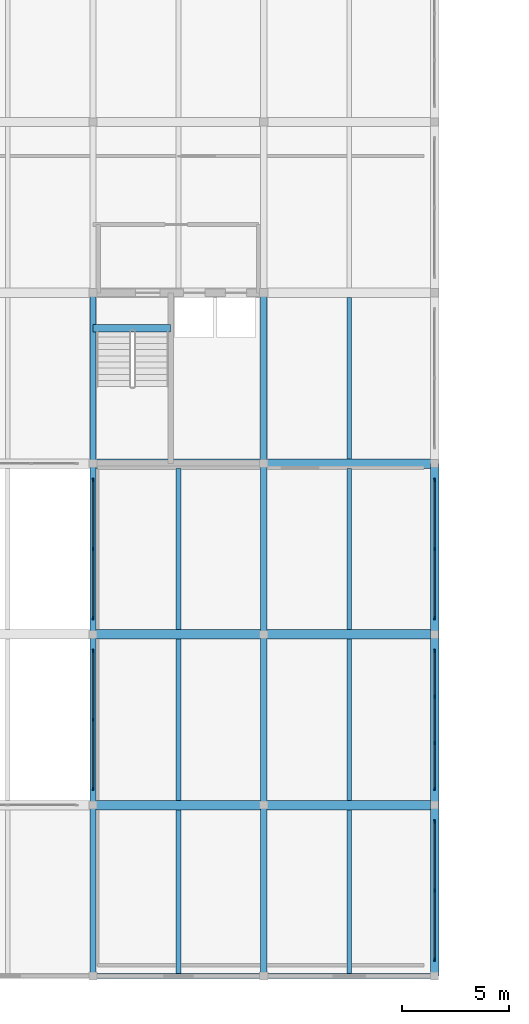
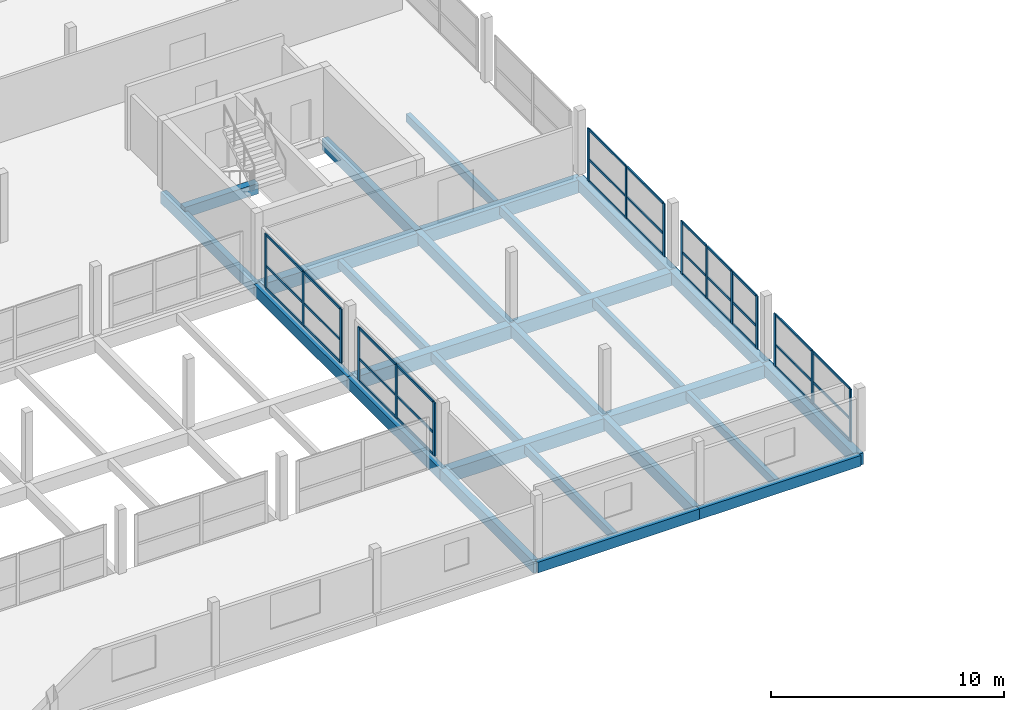
# One storey, part 12 of 34: 49 members, 27 beams, 5 elements without a shape of their own.
"""IFC4 building model written with IfcOpenShell, lengths in metres."""

from ifc_helpers import new_model, si_unit, direction, frame, origin, origin_2d, place, context, subcontext, project, spatial, rectangle, extrude, material, material_profile, profile_set, type_object, element, aggregate, save


model = new_model("IFC4")

# Units and contexts
model_context = context("Model", 3, precision=1e-05, world=origin(), true_north=direction((0.0, 1.0)))
body_context = subcontext(model_context, "Body", "Model", "MODEL_VIEW")
ifc_project = project(units=[si_unit("LENGTHUNIT", "METRE"), si_unit("AREAUNIT", "SQUARE_METRE"), si_unit("VOLUMEUNIT", "CUBIC_METRE"), si_unit("PLANEANGLEUNIT", "RADIAN"), si_unit("MASSUNIT", "GRAM", prefix="KILO")], contexts=[model_context])

# Site, building, storey
site_placement = place(None, origin())
site = spatial("IfcSite", under=ifc_project, at=site_placement, CompositionType="ELEMENT")
building_placement = place(site_placement, origin())
building = spatial("IfcBuilding", under=site, at=building_placement, Name="Vharandega Faculty of Natural Sciences", CompositionType="ELEMENT")
storey_placement = place(building_placement, frame((0.0, 0.0, 21.60009765625)))
storey = spatial("IfcBuildingStorey", under=building, at=storey_placement, Name="L05", CompositionType="ELEMENT", Elevation=21.60009765625)

# Curtain wall, members
ifc_material_1 = material(Name="Aluminium and solar-control glass curtain wall", Category="aluminium")
curtain_wall_type_1 = type_object("IfcCurtainWallType", Name="Unitised Curtain Wall System CW-28", PredefinedType="NOTDEFINED", material=ifc_material_1)
curtain_wall_1_placement = place(storey_placement, origin())
curtain_wall_1 = element("IfcCurtainWall", 1, at=curtain_wall_1_placement, inside=storey, type_object=curtain_wall_type_1, Name="Curtain Wall CW-L05-195", PredefinedType="NOTDEFINED")
ifc_material_2 = material(Name="Thermally broken aluminium 6063-T6", Category="aluminium")
ifc_material_profile_1 = material_profile(ifc_material_2, rectangle(XDim=0.06005859375, YDim=0.159912109375, at=origin_2d()), Name="ALU 60x160")
ifc_profile_set_1 = profile_set([ifc_material_profile_1], Name="Thermally broken aluminium 6063-T6")
member_type_1 = type_object("IfcMemberType", Name="CW Mullion 60x160", PredefinedType="MULLION", material=ifc_profile_set_1)
member_1_placement = place(storey_placement, frame((48.0, 16.77001953125, 0.0), z_axis=(0.0, 0.0, 1.0), x_axis=(-1.0, 0.0, 0.0)))
member_1 = element("IfcMember", 2, at=member_1_placement, type_object=member_type_1, Name="CW-28 mullion 1", PredefinedType="MULLION", context=body_context, shape_type="SweptSolid", body=[
    extrude(rectangle(XDim=0.06005859375, YDim=0.159912109375, at=origin_2d()), origin(), (0.0, 0.0, 1.0), 2.760009765625),
])
member_2_placement = place(storey_placement, frame((48.0, 20.0, 0.0), z_axis=(0.0, 0.0, 1.0), x_axis=(-1.0, 0.0, 0.0)))
member_2 = element("IfcMember", 3, at=member_2_placement, type_object=member_type_1, Name="CW-28 mullion 2", PredefinedType="MULLION", context=body_context, shape_type="SweptSolid", body=[
    extrude(rectangle(XDim=0.06005859375, YDim=0.159912109375, at=origin_2d()), origin(), (0.0, 0.0, 1.0), 2.760009765625),
])
member_3_placement = place(storey_placement, frame((48.0, 23.22998046875, 0.0), z_axis=(0.0, 0.0, 1.0), x_axis=(-1.0, 0.0, 0.0)))
member_3 = element("IfcMember", 4, at=member_3_placement, type_object=member_type_1, Name="CW-28 mullion 3", PredefinedType="MULLION", context=body_context, shape_type="SweptSolid", body=[
    extrude(rectangle(XDim=0.06005859375, YDim=0.159912109375, at=origin_2d()), origin(), (0.0, 0.0, 1.0), 2.760009765625),
])

ifc_material_3 = material(Name="Aluminium and solar-control glass curtain wall", Category="aluminium")
curtain_wall_type_2 = type_object("IfcCurtainWallType", Name="Unitised Curtain Wall System CW-01", PredefinedType="NOTDEFINED", material=ifc_material_3)
curtain_wall_2_placement = place(storey_placement, origin())
curtain_wall_2 = element("IfcCurtainWall", 5, at=curtain_wall_2_placement, inside=storey, type_object=curtain_wall_type_2, Name="Curtain Wall CW-L05-196", PredefinedType="NOTDEFINED")
member_4_placement = place(storey_placement, frame((48.0, 24.77001953125, 0.0), z_axis=(0.0, 0.0, 1.0), x_axis=(-1.0, 0.0, 0.0)))
member_4 = element("IfcMember", 6, at=member_4_placement, type_object=member_type_1, Name="CW-01 mullion 1", PredefinedType="MULLION", context=body_context, shape_type="SweptSolid", body=[
    extrude(rectangle(XDim=0.06005859375, YDim=0.159912109375, at=origin_2d()), origin(), (0.0, 0.0, 1.0), 2.760009765625),
])
member_5_placement = place(storey_placement, frame((48.0, 26.913330078125, 0.0), z_axis=(0.0, 0.0, 1.0), x_axis=(-1.0, 0.0, 0.0)))
member_5 = element("IfcMember", 7, at=member_5_placement, type_object=member_type_1, Name="CW-01 mullion 2", PredefinedType="MULLION", context=body_context, shape_type="SweptSolid", body=[
    extrude(rectangle(XDim=0.06005859375, YDim=0.159912109375, at=origin_2d()), origin(), (0.0, 0.0, 1.0), 2.760009765625),
])
member_6_placement = place(storey_placement, frame((48.0, 29.086669921875, 0.0), z_axis=(0.0, 0.0, 1.0), x_axis=(-1.0, 0.0, 0.0)))
member_6 = element("IfcMember", 8, at=member_6_placement, type_object=member_type_1, Name="CW-01 mullion 3", PredefinedType="MULLION", context=body_context, shape_type="SweptSolid", body=[
    extrude(rectangle(XDim=0.06005859375, YDim=0.159912109375, at=origin_2d()), origin(), (0.0, 0.0, 1.0), 2.760009765625),
])
member_7_placement = place(storey_placement, frame((48.0, 31.22998046875, 0.0), z_axis=(0.0, 0.0, 1.0), x_axis=(-1.0, 0.0, 0.0)))
member_7 = element("IfcMember", 9, at=member_7_placement, type_object=member_type_1, Name="CW-01 mullion 4", PredefinedType="MULLION", context=body_context, shape_type="SweptSolid", body=[
    extrude(rectangle(XDim=0.06005859375, YDim=0.159912109375, at=origin_2d()), origin(), (0.0, 0.0, 1.0), 2.760009765625),
])

ifc_material_4 = material(Name="Aluminium and solar-control glass curtain wall", Category="aluminium")
curtain_wall_type_3 = type_object("IfcCurtainWallType", Name="Unitised Curtain Wall System CW-02", PredefinedType="NOTDEFINED", material=ifc_material_4)
curtain_wall_3_placement = place(storey_placement, origin())
curtain_wall_3 = element("IfcCurtainWall", 10, at=curtain_wall_3_placement, inside=storey, type_object=curtain_wall_type_3, Name="Curtain Wall CW-L05-197", PredefinedType="NOTDEFINED")
member_8_placement = place(storey_placement, frame((48.0, 32.77001953125, 0.0), z_axis=(0.0, 0.0, 1.0), x_axis=(-1.0, 0.0, 0.0)))
member_8 = element("IfcMember", 11, at=member_8_placement, type_object=member_type_1, Name="CW-02 mullion 1", PredefinedType="MULLION", context=body_context, shape_type="SweptSolid", body=[
    extrude(rectangle(XDim=0.06005859375, YDim=0.159912109375, at=origin_2d()), origin(), (0.0, 0.0, 1.0), 2.760009765625),
])
member_9_placement = place(storey_placement, frame((48.0, 36.0, 0.0), z_axis=(0.0, 0.0, 1.0), x_axis=(-1.0, 0.0, 0.0)))
member_9 = element("IfcMember", 12, at=member_9_placement, type_object=member_type_1, Name="CW-02 mullion 2", PredefinedType="MULLION", context=body_context, shape_type="SweptSolid", body=[
    extrude(rectangle(XDim=0.06005859375, YDim=0.159912109375, at=origin_2d()), origin(), (0.0, 0.0, 1.0), 2.760009765625),
])
member_10_placement = place(storey_placement, frame((48.0, 39.22998046875, 0.0), z_axis=(0.0, 0.0, 1.0), x_axis=(-1.0, 0.0, 0.0)))
member_10 = element("IfcMember", 13, at=member_10_placement, type_object=member_type_1, Name="CW-02 mullion 3", PredefinedType="MULLION", context=body_context, shape_type="SweptSolid", body=[
    extrude(rectangle(XDim=0.06005859375, YDim=0.159912109375, at=origin_2d()), origin(), (0.0, 0.0, 1.0), 2.760009765625),
])

ifc_material_5 = material(Name="Aluminium and solar-control glass curtain wall", Category="aluminium")
curtain_wall_type_4 = type_object("IfcCurtainWallType", Name="Unitised Curtain Wall System CW-17", PredefinedType="NOTDEFINED", material=ifc_material_5)
curtain_wall_4_placement = place(storey_placement, origin())
curtain_wall_4 = element("IfcCurtainWall", 14, at=curtain_wall_4_placement, inside=storey, type_object=curtain_wall_type_4, Name="Curtain Wall CW-L05-212", PredefinedType="NOTDEFINED")
member_11_placement = place(storey_placement, frame((32.0, 24.77001953125, 0.0), z_axis=(0.0, 0.0, 1.0), x_axis=(-1.0, 0.0, 0.0)))
member_11 = element("IfcMember", 15, at=member_11_placement, type_object=member_type_1, Name="CW-17 mullion 1", PredefinedType="MULLION", context=body_context, shape_type="SweptSolid", body=[
    extrude(rectangle(XDim=0.06005859375, YDim=0.159912109375, at=origin_2d()), origin(), (0.0, 0.0, 1.0), 2.7998046875),
])
member_12_placement = place(storey_placement, frame((32.0, 28.0, 0.0), z_axis=(0.0, 0.0, 1.0), x_axis=(-1.0, 0.0, 0.0)))
member_12 = element("IfcMember", 16, at=member_12_placement, type_object=member_type_1, Name="CW-17 mullion 2", PredefinedType="MULLION", context=body_context, shape_type="SweptSolid", body=[
    extrude(rectangle(XDim=0.06005859375, YDim=0.159912109375, at=origin_2d()), origin(), (0.0, 0.0, 1.0), 2.7998046875),
])
member_13_placement = place(storey_placement, frame((32.0, 31.22998046875, 0.0), z_axis=(0.0, 0.0, 1.0), x_axis=(-1.0, 0.0, 0.0)))
member_13 = element("IfcMember", 17, at=member_13_placement, type_object=member_type_1, Name="CW-17 mullion 3", PredefinedType="MULLION", context=body_context, shape_type="SweptSolid", body=[
    extrude(rectangle(XDim=0.06005859375, YDim=0.159912109375, at=origin_2d()), origin(), (0.0, 0.0, 1.0), 2.7998046875),
])

ifc_material_6 = material(Name="Aluminium and solar-control glass curtain wall", Category="aluminium")
curtain_wall_type_5 = type_object("IfcCurtainWallType", Name="Unitised Curtain Wall System CW-19", PredefinedType="NOTDEFINED", material=ifc_material_6)
curtain_wall_5_placement = place(storey_placement, origin())
curtain_wall_5 = element("IfcCurtainWall", 18, at=curtain_wall_5_placement, inside=storey, type_object=curtain_wall_type_5, Name="Curtain Wall CW-L05-214", PredefinedType="NOTDEFINED")
member_14_placement = place(storey_placement, frame((32.0, 32.77001953125, 0.0), z_axis=(0.0, 0.0, 1.0), x_axis=(-1.0, 0.0, 0.0)))
member_14 = element("IfcMember", 19, at=member_14_placement, type_object=member_type_1, Name="CW-19 mullion 1", PredefinedType="MULLION", context=body_context, shape_type="SweptSolid", body=[
    extrude(rectangle(XDim=0.06005859375, YDim=0.159912109375, at=origin_2d()), origin(), (0.0, 0.0, 1.0), 2.83984375),
])
member_15_placement = place(storey_placement, frame((32.0, 36.0, 0.0), z_axis=(0.0, 0.0, 1.0), x_axis=(-1.0, 0.0, 0.0)))
member_15 = element("IfcMember", 20, at=member_15_placement, type_object=member_type_1, Name="CW-19 mullion 2", PredefinedType="MULLION", context=body_context, shape_type="SweptSolid", body=[
    extrude(rectangle(XDim=0.06005859375, YDim=0.159912109375, at=origin_2d()), origin(), (0.0, 0.0, 1.0), 2.83984375),
])
member_16_placement = place(storey_placement, frame((32.0, 39.22998046875, 0.0), z_axis=(0.0, 0.0, 1.0), x_axis=(-1.0, 0.0, 0.0)))
member_16 = element("IfcMember", 21, at=member_16_placement, type_object=member_type_1, Name="CW-19 mullion 3", PredefinedType="MULLION", context=body_context, shape_type="SweptSolid", body=[
    extrude(rectangle(XDim=0.06005859375, YDim=0.159912109375, at=origin_2d()), origin(), (0.0, 0.0, 1.0), 2.83984375),
])

# Member
ifc_material_7 = material(Name="Thermally broken aluminium 6063-T6", Category="aluminium")
ifc_material_profile_2 = material_profile(ifc_material_7, rectangle(XDim=0.06005859375, YDim=0.1201171875, at=origin_2d()), Name="ALU 60x120")
ifc_profile_set_2 = profile_set([ifc_material_profile_2], Name="Thermally broken aluminium 6063-T6")
member_type_2 = type_object("IfcMemberType", Name="CW Transom 60x120", PredefinedType="USERDEFINED", material=ifc_profile_set_2)
member_17_placement = place(storey_placement, frame((48.0, 16.800048828125, 0.02978515625), z_axis=(0.0, 1.0, 0.0), x_axis=(-1.0, 0.0, 0.0)))
member_17 = element("IfcMember", 22, at=member_17_placement, type_object=member_type_2, Name="CW-28 transom 1.1", ObjectType="TRANSOM", PredefinedType="USERDEFINED", context=body_context, shape_type="SweptSolid", body=[
    extrude(rectangle(XDim=0.06005859375, YDim=0.1201171875, at=origin_2d()), origin(), (0.0, 0.0, 1.0), 3.169921875),
])

member_18_placement = place(storey_placement, frame((48.0, 16.800048828125, 1.1591796875), z_axis=(0.0, 1.0, 0.0), x_axis=(-1.0, 0.0, 0.0)))
member_18 = element("IfcMember", 23, at=member_18_placement, type_object=member_type_2, Name="CW-28 transom 1.2", ObjectType="TRANSOM", PredefinedType="USERDEFINED", context=body_context, shape_type="SweptSolid", body=[
    extrude(rectangle(XDim=0.06005859375, YDim=0.1201171875, at=origin_2d()), origin(), (0.0, 0.0, 1.0), 3.169921875),
])

member_19_placement = place(storey_placement, frame((48.0, 16.800048828125, 2.72998046875), z_axis=(0.0, 1.0, 0.0), x_axis=(-1.0, 0.0, 0.0)))
member_19 = element("IfcMember", 24, at=member_19_placement, type_object=member_type_2, Name="CW-28 transom 1.3", ObjectType="TRANSOM", PredefinedType="USERDEFINED", context=body_context, shape_type="SweptSolid", body=[
    extrude(rectangle(XDim=0.06005859375, YDim=0.1201171875, at=origin_2d()), origin(), (0.0, 0.0, 1.0), 3.169921875),
])

member_20_placement = place(storey_placement, frame((48.0, 20.030029296875, 0.02978515625), z_axis=(0.0, 1.0, 0.0), x_axis=(-1.0, 0.0, 0.0)))
member_20 = element("IfcMember", 25, at=member_20_placement, type_object=member_type_2, Name="CW-28 transom 2.1", ObjectType="TRANSOM", PredefinedType="USERDEFINED", context=body_context, shape_type="SweptSolid", body=[
    extrude(rectangle(XDim=0.06005859375, YDim=0.1201171875, at=origin_2d()), origin(), (0.0, 0.0, 1.0), 3.169921875),
])

member_21_placement = place(storey_placement, frame((48.0, 20.030029296875, 1.1591796875), z_axis=(0.0, 1.0, 0.0), x_axis=(-1.0, 0.0, 0.0)))
member_21 = element("IfcMember", 26, at=member_21_placement, type_object=member_type_2, Name="CW-28 transom 2.2", ObjectType="TRANSOM", PredefinedType="USERDEFINED", context=body_context, shape_type="SweptSolid", body=[
    extrude(rectangle(XDim=0.06005859375, YDim=0.1201171875, at=origin_2d()), origin(), (0.0, 0.0, 1.0), 3.169921875),
])

member_22_placement = place(storey_placement, frame((48.0, 20.030029296875, 2.72998046875), z_axis=(0.0, 1.0, 0.0), x_axis=(-1.0, 0.0, 0.0)))
member_22 = element("IfcMember", 27, at=member_22_placement, type_object=member_type_2, Name="CW-28 transom 2.3", ObjectType="TRANSOM", PredefinedType="USERDEFINED", context=body_context, shape_type="SweptSolid", body=[
    extrude(rectangle(XDim=0.06005859375, YDim=0.1201171875, at=origin_2d()), origin(), (0.0, 0.0, 1.0), 3.169921875),
])

aggregate(curtain_wall_1, [member_1, member_2, member_3, member_17, member_18, member_19, member_20, member_21, member_22])

member_23_placement = place(storey_placement, frame((48.0, 24.800048828125, 0.02978515625), z_axis=(0.0, 1.0, 0.0), x_axis=(-1.0, 0.0, 0.0)))
member_23 = element("IfcMember", 28, at=member_23_placement, type_object=member_type_2, Name="CW-01 transom 1.1", ObjectType="TRANSOM", PredefinedType="USERDEFINED", context=body_context, shape_type="SweptSolid", body=[
    extrude(rectangle(XDim=0.06005859375, YDim=0.1201171875, at=origin_2d()), origin(), (0.0, 0.0, 1.0), 2.083251953125),
])

member_24_placement = place(storey_placement, frame((48.0, 24.800048828125, 1.1591796875), z_axis=(0.0, 1.0, 0.0), x_axis=(-1.0, 0.0, 0.0)))
member_24 = element("IfcMember", 29, at=member_24_placement, type_object=member_type_2, Name="CW-01 transom 1.2", ObjectType="TRANSOM", PredefinedType="USERDEFINED", context=body_context, shape_type="SweptSolid", body=[
    extrude(rectangle(XDim=0.06005859375, YDim=0.1201171875, at=origin_2d()), origin(), (0.0, 0.0, 1.0), 2.083251953125),
])

member_25_placement = place(storey_placement, frame((48.0, 24.800048828125, 2.72998046875), z_axis=(0.0, 1.0, 0.0), x_axis=(-1.0, 0.0, 0.0)))
member_25 = element("IfcMember", 30, at=member_25_placement, type_object=member_type_2, Name="CW-01 transom 1.3", ObjectType="TRANSOM", PredefinedType="USERDEFINED", context=body_context, shape_type="SweptSolid", body=[
    extrude(rectangle(XDim=0.06005859375, YDim=0.1201171875, at=origin_2d()), origin(), (0.0, 0.0, 1.0), 2.083251953125),
])

member_26_placement = place(storey_placement, frame((48.0, 26.943359375, 0.02978515625), z_axis=(0.0, 1.0, 0.0), x_axis=(-1.0, 0.0, 0.0)))
member_26 = element("IfcMember", 31, at=member_26_placement, type_object=member_type_2, Name="CW-01 transom 2.1", ObjectType="TRANSOM", PredefinedType="USERDEFINED", context=body_context, shape_type="SweptSolid", body=[
    extrude(rectangle(XDim=0.06005859375, YDim=0.1201171875, at=origin_2d()), origin(), (0.0, 0.0, 1.0), 2.11328125),
])

member_27_placement = place(storey_placement, frame((48.0, 26.943359375, 1.1591796875), z_axis=(0.0, 1.0, 0.0), x_axis=(-1.0, 0.0, 0.0)))
member_27 = element("IfcMember", 32, at=member_27_placement, type_object=member_type_2, Name="CW-01 transom 2.2", ObjectType="TRANSOM", PredefinedType="USERDEFINED", context=body_context, shape_type="SweptSolid", body=[
    extrude(rectangle(XDim=0.06005859375, YDim=0.1201171875, at=origin_2d()), origin(), (0.0, 0.0, 1.0), 2.11328125),
])

member_28_placement = place(storey_placement, frame((48.0, 26.943359375, 2.72998046875), z_axis=(0.0, 1.0, 0.0), x_axis=(-1.0, 0.0, 0.0)))
member_28 = element("IfcMember", 33, at=member_28_placement, type_object=member_type_2, Name="CW-01 transom 2.3", ObjectType="TRANSOM", PredefinedType="USERDEFINED", context=body_context, shape_type="SweptSolid", body=[
    extrude(rectangle(XDim=0.06005859375, YDim=0.1201171875, at=origin_2d()), origin(), (0.0, 0.0, 1.0), 2.11328125),
])

member_29_placement = place(storey_placement, frame((48.0, 29.11669921875, 0.02978515625), z_axis=(0.0, 1.0, 0.0), x_axis=(-1.0, 0.0, 0.0)))
member_29 = element("IfcMember", 34, at=member_29_placement, type_object=member_type_2, Name="CW-01 transom 3.1", ObjectType="TRANSOM", PredefinedType="USERDEFINED", context=body_context, shape_type="SweptSolid", body=[
    extrude(rectangle(XDim=0.06005859375, YDim=0.1201171875, at=origin_2d()), origin(), (0.0, 0.0, 1.0), 2.083251953125),
])

member_30_placement = place(storey_placement, frame((48.0, 29.11669921875, 1.1591796875), z_axis=(0.0, 1.0, 0.0), x_axis=(-1.0, 0.0, 0.0)))
member_30 = element("IfcMember", 35, at=member_30_placement, type_object=member_type_2, Name="CW-01 transom 3.2", ObjectType="TRANSOM", PredefinedType="USERDEFINED", context=body_context, shape_type="SweptSolid", body=[
    extrude(rectangle(XDim=0.06005859375, YDim=0.1201171875, at=origin_2d()), origin(), (0.0, 0.0, 1.0), 2.083251953125),
])

member_31_placement = place(storey_placement, frame((48.0, 29.11669921875, 2.72998046875), z_axis=(0.0, 1.0, 0.0), x_axis=(-1.0, 0.0, 0.0)))
member_31 = element("IfcMember", 36, at=member_31_placement, type_object=member_type_2, Name="CW-01 transom 3.3", ObjectType="TRANSOM", PredefinedType="USERDEFINED", context=body_context, shape_type="SweptSolid", body=[
    extrude(rectangle(XDim=0.06005859375, YDim=0.1201171875, at=origin_2d()), origin(), (0.0, 0.0, 1.0), 2.083251953125),
])

aggregate(curtain_wall_2, [member_4, member_5, member_6, member_7, member_23, member_24, member_25, member_26, member_27, member_28, member_29, member_30, member_31])

member_32_placement = place(storey_placement, frame((48.0, 32.800048828125, 0.02978515625), z_axis=(0.0, 1.0, 0.0), x_axis=(-1.0, 0.0, 0.0)))
member_32 = element("IfcMember", 37, at=member_32_placement, type_object=member_type_2, Name="CW-02 transom 1.1", ObjectType="TRANSOM", PredefinedType="USERDEFINED", context=body_context, shape_type="SweptSolid", body=[
    extrude(rectangle(XDim=0.06005859375, YDim=0.1201171875, at=origin_2d()), origin(), (0.0, 0.0, 1.0), 3.169921875),
])

member_33_placement = place(storey_placement, frame((48.0, 32.800048828125, 1.1591796875), z_axis=(0.0, 1.0, 0.0), x_axis=(-1.0, 0.0, 0.0)))
member_33 = element("IfcMember", 38, at=member_33_placement, type_object=member_type_2, Name="CW-02 transom 1.2", ObjectType="TRANSOM", PredefinedType="USERDEFINED", context=body_context, shape_type="SweptSolid", body=[
    extrude(rectangle(XDim=0.06005859375, YDim=0.1201171875, at=origin_2d()), origin(), (0.0, 0.0, 1.0), 3.169921875),
])

member_34_placement = place(storey_placement, frame((48.0, 32.800048828125, 2.72998046875), z_axis=(0.0, 1.0, 0.0), x_axis=(-1.0, 0.0, 0.0)))
member_34 = element("IfcMember", 39, at=member_34_placement, type_object=member_type_2, Name="CW-02 transom 1.3", ObjectType="TRANSOM", PredefinedType="USERDEFINED", context=body_context, shape_type="SweptSolid", body=[
    extrude(rectangle(XDim=0.06005859375, YDim=0.1201171875, at=origin_2d()), origin(), (0.0, 0.0, 1.0), 3.169921875),
])

member_35_placement = place(storey_placement, frame((48.0, 36.030029296875, 0.02978515625), z_axis=(0.0, 1.0, 0.0), x_axis=(-1.0, 0.0, 0.0)))
member_35 = element("IfcMember", 40, at=member_35_placement, type_object=member_type_2, Name="CW-02 transom 2.1", ObjectType="TRANSOM", PredefinedType="USERDEFINED", context=body_context, shape_type="SweptSolid", body=[
    extrude(rectangle(XDim=0.06005859375, YDim=0.1201171875, at=origin_2d()), origin(), (0.0, 0.0, 1.0), 3.169921875),
])

member_36_placement = place(storey_placement, frame((48.0, 36.030029296875, 1.1591796875), z_axis=(0.0, 1.0, 0.0), x_axis=(-1.0, 0.0, 0.0)))
member_36 = element("IfcMember", 41, at=member_36_placement, type_object=member_type_2, Name="CW-02 transom 2.2", ObjectType="TRANSOM", PredefinedType="USERDEFINED", context=body_context, shape_type="SweptSolid", body=[
    extrude(rectangle(XDim=0.06005859375, YDim=0.1201171875, at=origin_2d()), origin(), (0.0, 0.0, 1.0), 3.169921875),
])

member_37_placement = place(storey_placement, frame((48.0, 36.030029296875, 2.72998046875), z_axis=(0.0, 1.0, 0.0), x_axis=(-1.0, 0.0, 0.0)))
member_37 = element("IfcMember", 42, at=member_37_placement, type_object=member_type_2, Name="CW-02 transom 2.3", ObjectType="TRANSOM", PredefinedType="USERDEFINED", context=body_context, shape_type="SweptSolid", body=[
    extrude(rectangle(XDim=0.06005859375, YDim=0.1201171875, at=origin_2d()), origin(), (0.0, 0.0, 1.0), 3.169921875),
])

aggregate(curtain_wall_3, [member_8, member_9, member_10, member_32, member_33, member_34, member_35, member_36, member_37])

member_38_placement = place(storey_placement, frame((32.0, 24.800048828125, 0.02978515625), z_axis=(0.0, 1.0, 0.0), x_axis=(-1.0, 0.0, 0.0)))
member_38 = element("IfcMember", 43, at=member_38_placement, type_object=member_type_2, Name="CW-17 transom 1.1", ObjectType="TRANSOM", PredefinedType="USERDEFINED", context=body_context, shape_type="SweptSolid", body=[
    extrude(rectangle(XDim=0.06005859375, YDim=0.1201171875, at=origin_2d()), origin(), (0.0, 0.0, 1.0), 3.169921875),
])

member_39_placement = place(storey_placement, frame((32.0, 24.800048828125, 1.17578125), z_axis=(0.0, 1.0, 0.0), x_axis=(-1.0, 0.0, 0.0)))
member_39 = element("IfcMember", 44, at=member_39_placement, type_object=member_type_2, Name="CW-17 transom 1.2", ObjectType="TRANSOM", PredefinedType="USERDEFINED", context=body_context, shape_type="SweptSolid", body=[
    extrude(rectangle(XDim=0.06005859375, YDim=0.1201171875, at=origin_2d()), origin(), (0.0, 0.0, 1.0), 3.169921875),
])

member_40_placement = place(storey_placement, frame((32.0, 24.800048828125, 2.77001953125), z_axis=(0.0, 1.0, 0.0), x_axis=(-1.0, 0.0, 0.0)))
member_40 = element("IfcMember", 45, at=member_40_placement, type_object=member_type_2, Name="CW-17 transom 1.3", ObjectType="TRANSOM", PredefinedType="USERDEFINED", context=body_context, shape_type="SweptSolid", body=[
    extrude(rectangle(XDim=0.06005859375, YDim=0.1201171875, at=origin_2d()), origin(), (0.0, 0.0, 1.0), 3.169921875),
])

member_41_placement = place(storey_placement, frame((32.0, 28.030029296875, 0.02978515625), z_axis=(0.0, 1.0, 0.0), x_axis=(-1.0, 0.0, 0.0)))
member_41 = element("IfcMember", 46, at=member_41_placement, type_object=member_type_2, Name="CW-17 transom 2.1", ObjectType="TRANSOM", PredefinedType="USERDEFINED", context=body_context, shape_type="SweptSolid", body=[
    extrude(rectangle(XDim=0.06005859375, YDim=0.1201171875, at=origin_2d()), origin(), (0.0, 0.0, 1.0), 3.169921875),
])

member_42_placement = place(storey_placement, frame((32.0, 28.030029296875, 1.17578125), z_axis=(0.0, 1.0, 0.0), x_axis=(-1.0, 0.0, 0.0)))
member_42 = element("IfcMember", 47, at=member_42_placement, type_object=member_type_2, Name="CW-17 transom 2.2", ObjectType="TRANSOM", PredefinedType="USERDEFINED", context=body_context, shape_type="SweptSolid", body=[
    extrude(rectangle(XDim=0.06005859375, YDim=0.1201171875, at=origin_2d()), origin(), (0.0, 0.0, 1.0), 3.169921875),
])

member_43_placement = place(storey_placement, frame((32.0, 28.030029296875, 2.77001953125), z_axis=(0.0, 1.0, 0.0), x_axis=(-1.0, 0.0, 0.0)))
member_43 = element("IfcMember", 48, at=member_43_placement, type_object=member_type_2, Name="CW-17 transom 2.3", ObjectType="TRANSOM", PredefinedType="USERDEFINED", context=body_context, shape_type="SweptSolid", body=[
    extrude(rectangle(XDim=0.06005859375, YDim=0.1201171875, at=origin_2d()), origin(), (0.0, 0.0, 1.0), 3.169921875),
])

aggregate(curtain_wall_4, [member_11, member_12, member_13, member_38, member_39, member_40, member_41, member_42, member_43])

member_44_placement = place(storey_placement, frame((32.0, 32.800048828125, 0.02978515625), z_axis=(0.0, 1.0, 0.0), x_axis=(-1.0, 0.0, 0.0)))
member_44 = element("IfcMember", 49, at=member_44_placement, type_object=member_type_2, Name="CW-19 transom 1.1", ObjectType="TRANSOM", PredefinedType="USERDEFINED", context=body_context, shape_type="SweptSolid", body=[
    extrude(rectangle(XDim=0.06005859375, YDim=0.1201171875, at=origin_2d()), origin(), (0.0, 0.0, 1.0), 3.169921875),
])

member_45_placement = place(storey_placement, frame((32.0, 32.800048828125, 1.192626953125), z_axis=(0.0, 1.0, 0.0), x_axis=(-1.0, 0.0, 0.0)))
member_45 = element("IfcMember", 50, at=member_45_placement, type_object=member_type_2, Name="CW-19 transom 1.2", ObjectType="TRANSOM", PredefinedType="USERDEFINED", context=body_context, shape_type="SweptSolid", body=[
    extrude(rectangle(XDim=0.06005859375, YDim=0.1201171875, at=origin_2d()), origin(), (0.0, 0.0, 1.0), 3.169921875),
])

member_46_placement = place(storey_placement, frame((32.0, 32.800048828125, 2.809814453125), z_axis=(0.0, 1.0, 0.0), x_axis=(-1.0, 0.0, 0.0)))
member_46 = element("IfcMember", 51, at=member_46_placement, type_object=member_type_2, Name="CW-19 transom 1.3", ObjectType="TRANSOM", PredefinedType="USERDEFINED", context=body_context, shape_type="SweptSolid", body=[
    extrude(rectangle(XDim=0.06005859375, YDim=0.1201171875, at=origin_2d()), origin(), (0.0, 0.0, 1.0), 3.169921875),
])

member_47_placement = place(storey_placement, frame((32.0, 36.030029296875, 0.02978515625), z_axis=(0.0, 1.0, 0.0), x_axis=(-1.0, 0.0, 0.0)))
member_47 = element("IfcMember", 52, at=member_47_placement, type_object=member_type_2, Name="CW-19 transom 2.1", ObjectType="TRANSOM", PredefinedType="USERDEFINED", context=body_context, shape_type="SweptSolid", body=[
    extrude(rectangle(XDim=0.06005859375, YDim=0.1201171875, at=origin_2d()), origin(), (0.0, 0.0, 1.0), 3.169921875),
])

member_48_placement = place(storey_placement, frame((32.0, 36.030029296875, 1.192626953125), z_axis=(0.0, 1.0, 0.0), x_axis=(-1.0, 0.0, 0.0)))
member_48 = element("IfcMember", 53, at=member_48_placement, type_object=member_type_2, Name="CW-19 transom 2.2", ObjectType="TRANSOM", PredefinedType="USERDEFINED", context=body_context, shape_type="SweptSolid", body=[
    extrude(rectangle(XDim=0.06005859375, YDim=0.1201171875, at=origin_2d()), origin(), (0.0, 0.0, 1.0), 3.169921875),
])

member_49_placement = place(storey_placement, frame((32.0, 36.030029296875, 2.809814453125), z_axis=(0.0, 1.0, 0.0), x_axis=(-1.0, 0.0, 0.0)))
member_49 = element("IfcMember", 54, at=member_49_placement, type_object=member_type_2, Name="CW-19 transom 2.3", ObjectType="TRANSOM", PredefinedType="USERDEFINED", context=body_context, shape_type="SweptSolid", body=[
    extrude(rectangle(XDim=0.06005859375, YDim=0.1201171875, at=origin_2d()), origin(), (0.0, 0.0, 1.0), 3.169921875),
])

aggregate(curtain_wall_5, [member_14, member_15, member_16, member_44, member_45, member_46, member_47, member_48, member_49])

# Beams
ifc_material_8 = material(Name="Glulam GL28h", Category="wood")
ifc_material_profile_3 = material_profile(ifc_material_8, rectangle(XDim=0.300048828125, YDim=0.60009765625, at=origin_2d()), Name="GL28h 300x600")
ifc_profile_set_3 = profile_set([ifc_material_profile_3], Name="Glulam GL28h")
beam_type_1 = type_object("IfcBeamType", Name="Glulam Floor Beam 300x600", PredefinedType="BEAM", material=ifc_profile_set_3)
for number, where, z_axis, x_axis, name in (
    (55, (32.0, 16.0, -0.52001953125), (0.0, 1.0, 0.0), (-1.0, 0.0, 0.0), "Beam L05 5/C-D"),
    (56, (32.0, 24.0, -0.52001953125), (0.0, 1.0, 0.0), (-1.0, 0.0, 0.0), "Beam L05 5/D-E"),
    (57, (32.0, 32.0, -0.52001953125), (0.0, 1.0, 0.0), (-1.0, 0.0, 0.0), "Beam L05 5/E-F"),
    (58, (32.0, 40.0, -0.52001953125), (0.0, 1.0, 0.0), (-1.0, 0.0, 0.0), "Beam L05 5/F-G"),
    (59, (40.0, 16.0, -0.52001953125), (0.0, 1.0, 0.0), (-1.0, 0.0, 0.0), "Beam L05 6/C-D"),
    (60, (40.0, 24.0, -0.52001953125), (0.0, 1.0, 0.0), (-1.0, 0.0, 0.0), "Beam L05 6/D-E"),
    (61, (40.0, 32.0, -0.52001953125), (0.0, 1.0, 0.0), (-1.0, 0.0, 0.0), "Beam L05 6/E-F"),
    (62, (40.0, 40.0, -0.52001953125), (0.0, 1.0, 0.0), (-1.0, 0.0, 0.0), "Beam L05 6/F-G"),
):
    element("IfcBeam", number, at=place(storey_placement, frame(where, z_axis=z_axis, x_axis=x_axis)), inside=storey, type_object=beam_type_1, Name=name, PredefinedType="BEAM", context=body_context, shape_type="SweptSolid", body=[
        extrude(rectangle(XDim=0.300048828125, YDim=0.60009765625, at=origin_2d()), origin(), (0.0, 0.0, 1.0), 8.0),
    ])
ifc_material_9 = material(Name="Glulam GL32h", Category="wood")
ifc_material_profile_4 = material_profile(ifc_material_9, rectangle(XDim=0.43994140625, YDim=0.679931640625, at=origin_2d()), Name="GL32h 440x680")
ifc_profile_set_4 = profile_set([ifc_material_profile_4], Name="Glulam GL32h")
beam_type_2 = type_object("IfcBeamType", Name="Glulam Girder 440x680", PredefinedType="BEAM", material=ifc_profile_set_4)
for number, where, z_axis, x_axis, name in (
    (63, (32.0, 24.0, -0.56005859375), (1.0, 0.0, 0.0), (0.0, 1.0, 0.0), "Beam L05 D/5-6"),
    (64, (40.0, 24.0, -0.56005859375), (1.0, 0.0, 0.0), (0.0, 1.0, 0.0), "Beam L05 D/6-7"),
    (65, (32.0, 32.0, -0.56005859375), (1.0, 0.0, 0.0), (0.0, 1.0, 0.0), "Beam L05 E/5-6"),
    (66, (40.0, 32.0, -0.56005859375), (1.0, 0.0, 0.0), (0.0, 1.0, 0.0), "Beam L05 E/6-7"),
    (67, (32.0, 40.0, -0.56005859375), (1.0, 0.0, 0.0), (0.0, 1.0, 0.0), "Beam L05 F/5-6"),
    (68, (40.0, 40.0, -0.56005859375), (1.0, 0.0, 0.0), (0.0, 1.0, 0.0), "Beam L05 F/6-7"),
):
    element("IfcBeam", number, at=place(storey_placement, frame(where, z_axis=z_axis, x_axis=x_axis)), inside=storey, type_object=beam_type_2, Name=name, PredefinedType="BEAM", context=body_context, shape_type="SweptSolid", body=[
        extrude(rectangle(XDim=0.43994140625, YDim=0.679931640625, at=origin_2d()), origin(), (0.0, 0.0, 1.0), 8.0),
    ])
ifc_material_10 = material(Name="Glulam GL28h", Category="wood")
ifc_material_profile_5 = material_profile(ifc_material_10, rectangle(XDim=0.219970703125, YDim=0.43994140625, at=origin_2d()), Name="GL28h 220x440")
ifc_profile_set_5 = profile_set([ifc_material_profile_5], Name="Glulam GL28h")
beam_type_3 = type_object("IfcBeamType", Name="Glulam Secondary Joist 220x440", PredefinedType="JOIST", material=ifc_profile_set_5)
beam_1_placement = place(storey_placement, frame((36.0, 16.1201171875, -0.440185546875), z_axis=(0.0, 1.0, 0.0), x_axis=(-1.0, 0.0, 0.0)))
element("IfcBeam", 69, at=beam_1_placement, inside=storey, type_object=beam_type_3, Name="Secondary Joist L05 5-6/C-D", PredefinedType="JOIST", context=body_context, shape_type="SweptSolid", body=[
    extrude(rectangle(XDim=0.219970703125, YDim=0.43994140625, at=origin_2d()), origin(), (0.0, 0.0, 1.0), 7.659912109375),
])
for number, where, z_axis, x_axis, name in (
    (70, (36.0, 24.219970703125, -0.440185546875), (0.0, 1.0, 0.0), (-1.0, 0.0, 0.0), "Secondary Joist L05 5-6/D-E"),
    (71, (36.0, 32.219970703125, -0.440185546875), (0.0, 1.0, 0.0), (-1.0, 0.0, 0.0), "Secondary Joist L05 5-6/E-F"),
):
    element("IfcBeam", number, at=place(storey_placement, frame(where, z_axis=z_axis, x_axis=x_axis)), inside=storey, type_object=beam_type_3, Name=name, PredefinedType="JOIST", context=body_context, shape_type="SweptSolid", body=[
        extrude(rectangle(XDim=0.219970703125, YDim=0.43994140625, at=origin_2d()), origin(), (0.0, 0.0, 1.0), 7.56005859375),
    ])
beam_2_placement = place(storey_placement, frame((44.0, 16.1201171875, -0.440185546875), z_axis=(0.0, 1.0, 0.0), x_axis=(-1.0, 0.0, 0.0)))
element("IfcBeam", 72, at=beam_2_placement, inside=storey, type_object=beam_type_3, Name="Secondary Joist L05 6-7/C-D", PredefinedType="JOIST", context=body_context, shape_type="SweptSolid", body=[
    extrude(rectangle(XDim=0.219970703125, YDim=0.43994140625, at=origin_2d()), origin(), (0.0, 0.0, 1.0), 7.659912109375),
])
for number, where, z_axis, x_axis, name in (
    (73, (44.0, 24.219970703125, -0.440185546875), (0.0, 1.0, 0.0), (-1.0, 0.0, 0.0), "Secondary Joist L05 6-7/D-E"),
    (74, (44.0, 32.219970703125, -0.440185546875), (0.0, 1.0, 0.0), (-1.0, 0.0, 0.0), "Secondary Joist L05 6-7/E-F"),
    (75, (44.0, 40.219970703125, -0.440185546875), (0.0, 1.0, 0.0), (-1.0, 0.0, 0.0), "Secondary Joist L05 6-7/F-G"),
):
    element("IfcBeam", number, at=place(storey_placement, frame(where, z_axis=z_axis, x_axis=x_axis)), inside=storey, type_object=beam_type_3, Name=name, PredefinedType="JOIST", context=body_context, shape_type="SweptSolid", body=[
        extrude(rectangle(XDim=0.219970703125, YDim=0.43994140625, at=origin_2d()), origin(), (0.0, 0.0, 1.0), 7.56005859375),
    ])
ifc_material_11 = material(Name="Glulam GL28h", Category="wood")
ifc_material_profile_6 = material_profile(ifc_material_11, rectangle(XDim=0.239990234375, YDim=0.56005859375, at=origin_2d()), Name="GL28h 240x560")
ifc_profile_set_6 = profile_set([ifc_material_profile_6], Name="Glulam GL28h")
beam_type_4 = type_object("IfcBeamType", Name="Glulam Spandrel Edge Beam 240x560", PredefinedType="SPANDREL", material=ifc_profile_set_6)
for number, where, z_axis, x_axis, name in (
    (76, (32.0, 16.0, -0.5), (1.0, 0.0, 0.0), (0.0, 1.0, 0.0), "Beam L05 C/5-6"),
    (77, (40.0, 16.0, -0.5), (1.0, 0.0, 0.0), (0.0, 1.0, 0.0), "Beam L05 C/6-7"),
):
    element("IfcBeam", number, at=place(storey_placement, frame(where, z_axis=z_axis, x_axis=x_axis)), inside=storey, type_object=beam_type_4, Name=name, PredefinedType="SPANDREL", context=body_context, shape_type="SweptSolid", body=[
        extrude(rectangle(XDim=0.239990234375, YDim=0.56005859375, at=origin_2d()), origin(), (0.0, 0.0, 1.0), 8.0),
    ])
ifc_material_12 = material(Name="Glulam GL32h", Category="wood")
ifc_material_profile_7 = material_profile(ifc_material_12, rectangle(XDim=0.39990234375, YDim=0.60009765625, at=origin_2d()), Name="GL32h 400x600")
ifc_profile_set_7 = profile_set([ifc_material_profile_7], Name="Glulam GL32h")
beam_type_5 = type_object("IfcBeamType", Name="Glulam Spine Girder 400x600", PredefinedType="BEAM", material=ifc_profile_set_7)
for number, where, z_axis, x_axis, name in (
    (78, (48.0, 16.0, -0.52001953125), (0.0, 1.0, 0.0), (-1.0, 0.0, 0.0), "Beam L05 7/C-D"),
    (79, (48.0, 24.0, -0.52001953125), (0.0, 1.0, 0.0), (-1.0, 0.0, 0.0), "Beam L05 7/D-E"),
    (80, (48.0, 32.0, -0.52001953125), (0.0, 1.0, 0.0), (-1.0, 0.0, 0.0), "Beam L05 7/E-F"),
):
    element("IfcBeam", number, at=place(storey_placement, frame(where, z_axis=z_axis, x_axis=x_axis)), inside=storey, type_object=beam_type_5, Name=name, PredefinedType="BEAM", context=body_context, shape_type="SweptSolid", body=[
        extrude(rectangle(XDim=0.39990234375, YDim=0.60009765625, at=origin_2d()), origin(), (0.0, 0.0, 1.0), 8.0),
    ])
ifc_material_13 = material(Name="Concrete C40/50", Category="concrete")
ifc_material_profile_8 = material_profile(ifc_material_13, rectangle(XDim=0.35009765625, YDim=0.550048828125, at=origin_2d()), Name="RC 350x550")
ifc_profile_set_8 = profile_set([ifc_material_profile_8], Name="Concrete C40/50")
beam_type_6 = type_object("IfcBeamType", Name="Stair Header Trimmer Beam 350x550", PredefinedType="BEAM", material=ifc_profile_set_8)
beam_3_placement = place(storey_placement, frame((32.0, 46.35009765625, -0.275146484375), z_axis=(1.0, 0.0, 0.0), x_axis=(0.0, 1.0, 0.0)))
element("IfcBeam", 81, at=beam_3_placement, inside=storey, type_object=beam_type_6, Name="Stair Landing Trimmer Beam C3 L05", PredefinedType="BEAM", context=body_context, shape_type="SweptSolid", body=[
    extrude(rectangle(XDim=0.35009765625, YDim=0.550048828125, at=origin_2d()), origin(), (0.0, 0.0, 1.0), 3.639892578125),
])

save(model, "model.ifc")
